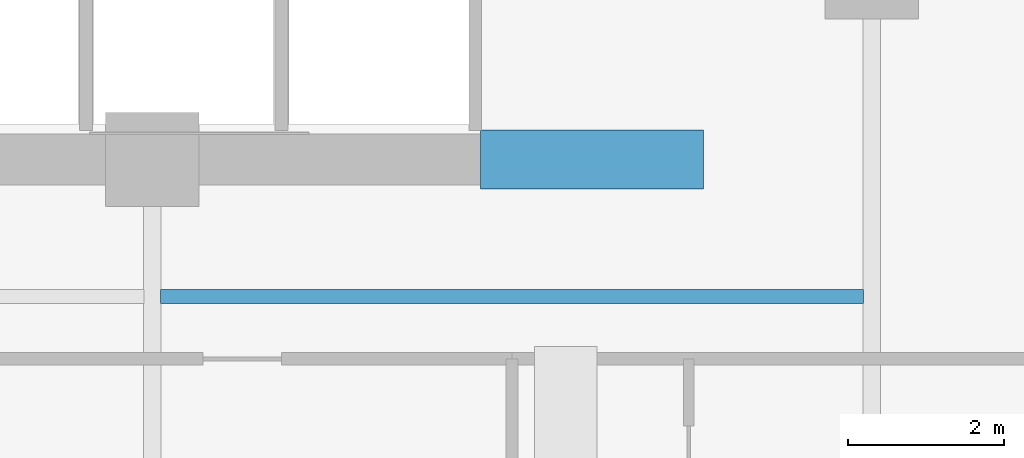
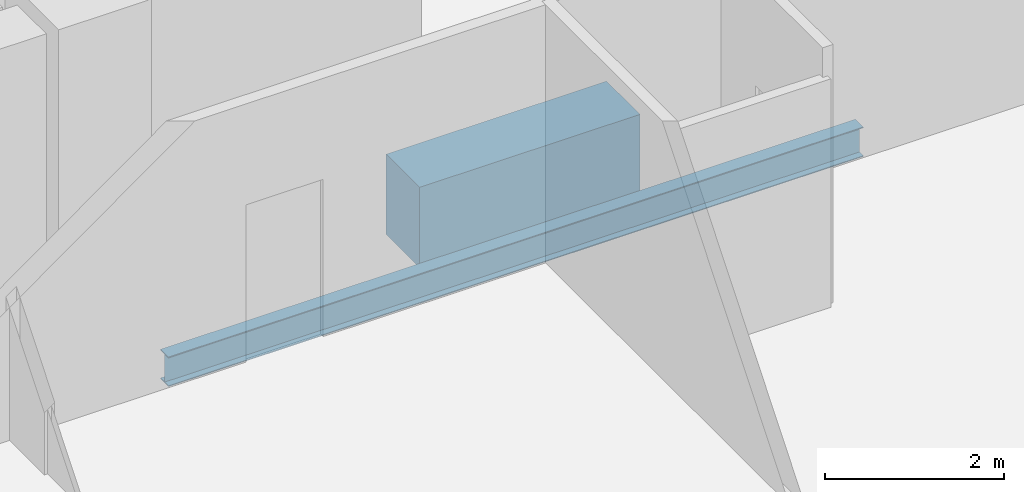
# One storey, part 11 of 33: 2 beams.
"""IFC4 building model written with IfcOpenShell, lengths in metres."""

from ifc_helpers import new_model, si_unit, direction, frame, origin, origin_2d, place, context, subcontext, project, spatial, rectangle, i_section, extrude, material, material_profile, profile_set, type_object, element, save


model = new_model("IFC4")

# Units and contexts
model_context = context("Model", 3, precision=1e-05, world=origin(), true_north=direction((0.0, 1.0)))
body_context = subcontext(model_context, "Body", "Model", "MODEL_VIEW")
ifc_project = project(units=[si_unit("LENGTHUNIT", "METRE"), si_unit("AREAUNIT", "SQUARE_METRE"), si_unit("VOLUMEUNIT", "CUBIC_METRE"), si_unit("PLANEANGLEUNIT", "RADIAN"), si_unit("MASSUNIT", "GRAM", prefix="KILO")], contexts=[model_context])

# Site, building, storey
site_placement = place(None, origin())
site = spatial("IfcSite", under=ifc_project, at=site_placement, CompositionType="ELEMENT")
building_placement = place(site_placement, origin())
building = spatial("IfcBuilding", under=site, at=building_placement, Name="Zuhayl Quay Hotel", CompositionType="ELEMENT")
storey_placement = place(building_placement, frame((0.0, 0.0, 222.39990234375)))
storey = spatial("IfcBuildingStorey", under=building, at=storey_placement, Name="L56", CompositionType="ELEMENT", Elevation=222.39990234375)

# Beams
ifc_material_1 = material(Name="Concrete C60/75", Category="concrete")
ifc_material_profile_1 = material_profile(ifc_material_1, rectangle(XDim=0.75, YDim=1.10009765625, at=origin_2d()), Name="RC750X1100")
ifc_profile_set_1 = profile_set([ifc_material_profile_1], Name="Concrete C60/75")
beam_type_1 = type_object("IfcBeamType", Name="BM_CB2_RC750", PredefinedType="T_BEAM", material=ifc_profile_set_1)
beam_1_placement = place(storey_placement, frame((8.800048828125, 2.14990234375, -0.77001953125), z_axis=(1.0, 0.0, 0.0), x_axis=(0.0, 1.0, 0.0)))
element("IfcBeam", 1, at=beam_1_placement, inside=storey, type_object=beam_type_1, Name="L56 Core Coupling Beam SE", PredefinedType="T_BEAM", context=body_context, shape_type="SweptSolid", body=[
    extrude(rectangle(XDim=0.75, YDim=1.10009765625, at=origin_2d()), origin(), (0.0, 0.0, 1.0), 2.849853515625),
])
ifc_material_2 = material(Name="Steel ASTM A992 Grade 50", Category="steel")
ifc_material_profile_2 = material_profile(ifc_material_2, i_section(OverallWidth=0.177978515625, OverallDepth=0.406005859375, WebThickness=0.0078125, FlangeThickness=0.0126953125, at=origin_2d()), Name="W16X40")
ifc_profile_set_2 = profile_set([ifc_material_profile_2], Name="Steel ASTM A992 Grade 50")
beam_type_2 = type_object("IfcBeamType", Name="BM_J2B_W16X40", PredefinedType="JOIST", material=ifc_profile_set_2)
beam_2_placement = place(storey_placement, frame((4.7060546875, 0.39990234375, -0.4228515625), z_axis=(1.0, 0.0, 0.0), x_axis=(0.0, 1.0, 0.0)))
element("IfcBeam", 2, at=beam_2_placement, inside=storey, type_object=beam_type_2, Name="L56 Floor Beam FJ_L56_8_3", PredefinedType="JOIST", context=body_context, shape_type="SweptSolid", body=[
    extrude(i_section(OverallWidth=0.177978515625, OverallDepth=0.406005859375, WebThickness=0.0078125, FlangeThickness=0.0126953125, at=origin_2d()), origin(), (0.0, 0.0, 1.0), 8.988037109375),
])

save(model, "model.ifc")
